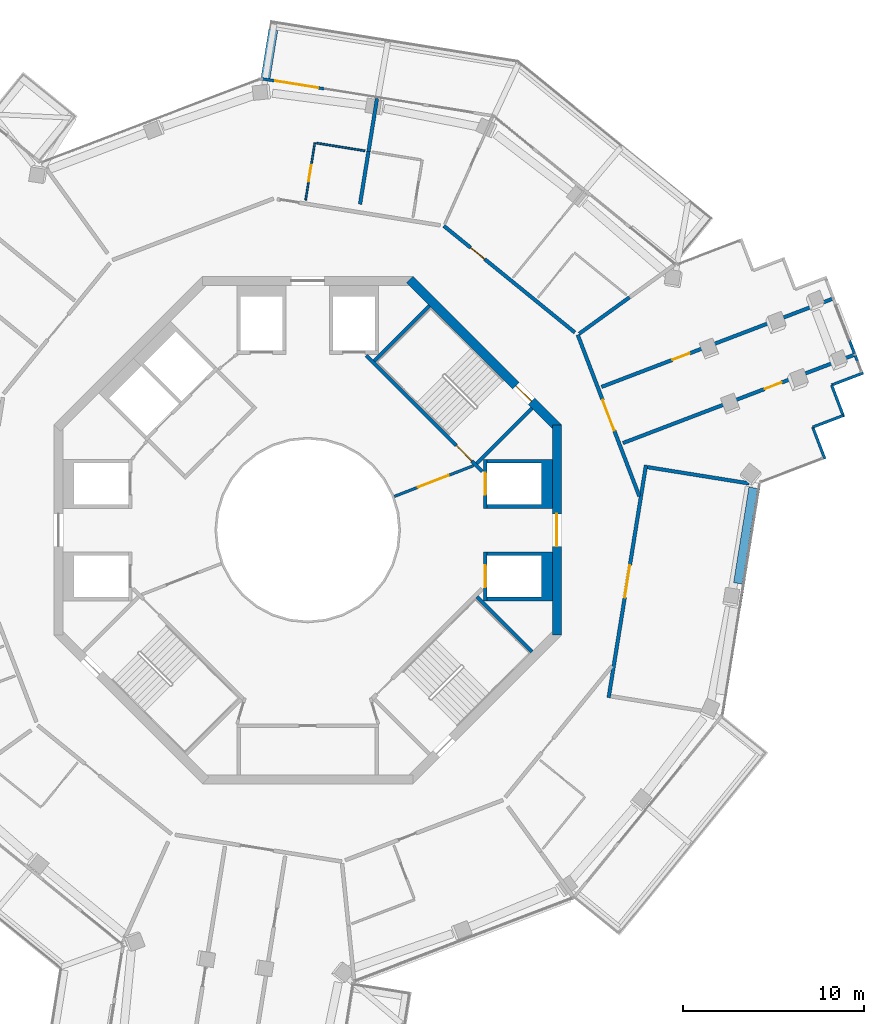
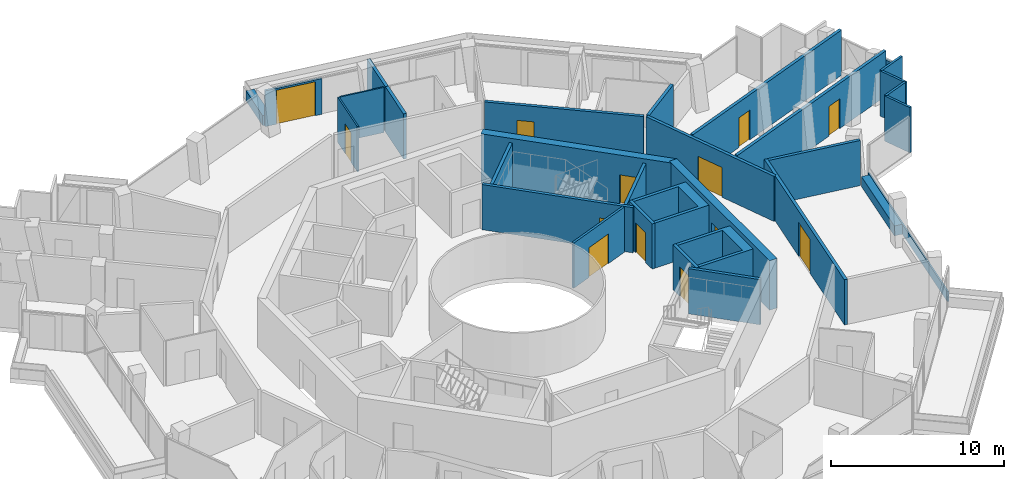
# One storey, part 19 of 23: 32 walls, 13 doors, 13 openings.
"""IFC4 building model written with IfcOpenShell, lengths in metres."""

from ifc_helpers import new_model, si_unit, direction, frame, frame_2d, origin, place, context, subcontext, project, spatial, polyline, rectangle, outline, extrude, material, layer, layer_set, type_object, element, fill, save


model = new_model("IFC4")

# Units and contexts
model_context = context("Model", 3, precision=1e-05, world=origin(), true_north=direction((0.0, 1.0)))
body_context = subcontext(model_context, "Body", "Model", "MODEL_VIEW")
ifc_project = project(units=[si_unit("LENGTHUNIT", "METRE"), si_unit("AREAUNIT", "SQUARE_METRE"), si_unit("VOLUMEUNIT", "CUBIC_METRE"), si_unit("PLANEANGLEUNIT", "RADIAN"), si_unit("MASSUNIT", "GRAM", prefix="KILO")], contexts=[model_context])

# Site, building, storey
site_placement = place(None, origin())
site = spatial("IfcSite", under=ifc_project, at=site_placement, CompositionType="ELEMENT")
building_placement = place(site_placement, origin())
building = spatial("IfcBuilding", under=site, at=building_placement, Name="Verdalira Terraces Hotel", CompositionType="ELEMENT")
storey_placement = place(building_placement, frame((0.0, 0.0, 241.0)))
storey = spatial("IfcBuildingStorey", under=building, at=storey_placement, Name="L59", CompositionType="ELEMENT", Elevation=241.0)

# Wall
ifc_material_1 = material(Name="Concrete C40", Category="concrete")
ifc_layer_1 = layer(ifc_material_1, 0.5)
ifc_layer_set_1 = layer_set([ifc_layer_1], Name="Balcony planter trough with tree")
wall_type_1 = type_object("IfcWallType", Name="Balcony planter trough with tree", PredefinedType="SOLIDWALL", material=ifc_layer_set_1)
wall_1_placement = place(storey_placement, frame((-1.897949, 27.608154, 0.0), z_axis=(0.0, 0.0, 1.0), x_axis=(-0.158572593, -0.987347321, 0.0)))
element("IfcWall", 1, at=wall_1_placement, inside=storey, type_object=wall_type_1, Name="Balcony planter", PredefinedType="SOLIDWALL", context=body_context, shape_type="SweptSolid", body=[
    extrude(rectangle(XDim=2.698975, YDim=0.5, at=frame_2d((1.349609, 0.0))), origin(), (0.0, 0.0, 1.0), 0.699951),
])

# Wall, opening, door
ifc_material_2 = material(Name="Moisture-resistant gypsum board partition")
ifc_layer_2 = layer(ifc_material_2, 0.10009765625)
ifc_layer_set_2 = layer_set([ifc_layer_2], Name="Bathroom partition 100 mm")
wall_type_2 = type_object("IfcWallType", Name="Bathroom partition 100 mm", PredefinedType="PARTITIONING", material=ifc_layer_set_2)
wall_2_placement = place(storey_placement, frame((0.391602, 21.366455, 0.0), z_axis=(0.0, 0.0, 1.0), x_axis=(-0.158457636, -0.987365777, 0.0)))
wall_2 = element("IfcWall", 2, at=wall_2_placement, inside=storey, type_object=wall_type_2, Name="Bathroom partition", PredefinedType="PARTITIONING", context=body_context, shape_type="SweptSolid", body=[
    extrude(rectangle(XDim=3.200195, YDim=0.100098, at=frame_2d((1.600098, 0.0))), origin(), (0.0, 0.0, 1.0), 3.189941),
])
opening_1_placement = place(wall_2_placement, frame((1.25, 0.0, 0.0)))
opening_1 = element("IfcOpeningElement", 3, at=opening_1_placement, cuts=wall_2, Name="Opening L59-128", PredefinedType="OPENING", context=body_context, shape_type="SweptSolid", body=[
    extrude(rectangle(XDim=0.899902, YDim=2.100098, at=frame_2d((0.449951, 1.050049))), frame((0.0, 0.060059, 0.0), z_axis=(0.0, -1.0, 0.0), x_axis=(1.0, 0.0, 0.0)), (0.0, 0.0, 1.0), 0.120117),
])
ifc_material_3 = material(Name="Timber door", Category="wood")
door_type_1 = type_object("IfcDoorType", Name="Bathroom door 900 x 2100", OperationType="NOTDEFINED", PredefinedType="DOOR", material=ifc_material_3)
door_1_placement = place(opening_1_placement, origin())
door_1 = element("IfcDoor", 4, at=door_1_placement, inside=storey, type_object=door_type_1, Name="Bathroom door 5910", OperationType="SINGLE_SWING_LEFT", OverallHeight=2.10009765625, OverallWidth=0.89990234375, PredefinedType="DOOR", context=body_context, shape_type="SweptSolid", body=[
    extrude(rectangle(XDim=0.899902, YDim=2.100098, at=frame_2d((0.449951, 1.050049))), frame((0.0, 0.024902, 0.0), z_axis=(0.0, -1.0, 0.0), x_axis=(1.0, 0.0, 0.0)), (0.0, 0.0, 1.0), 0.050049),
])
fill(opening_1, door_1)

# Walls
wall_3_placement = place(storey_placement, frame((0.490234, 21.350586, 0.0), z_axis=(0.0, 0.0, 1.0), x_axis=(0.987358687, -0.158501811, 0.0)))
element("IfcWall", 5, at=wall_3_placement, inside=storey, type_object=wall_type_2, Name="Bathroom partition", PredefinedType="PARTITIONING", context=body_context, shape_type="SweptSolid", body=[
    extrude(rectangle(XDim=2.700195, YDim=0.100098, at=frame_2d((1.350098, 0.0))), origin(), (0.0, 0.0, 1.0), 3.189941),
])
ifc_material_4 = material(Name="Concrete C50", Category="concrete")
ifc_layer_3 = layer(ifc_material_4, 0.199951171875)
ifc_layer_set_3 = layer_set([ifc_layer_3], Name="Core RC wall 200 C50")
wall_type_3 = type_object("IfcWallType", Name="Core RC wall 200 C50", PredefinedType="SOLIDWALL", material=ifc_layer_set_3)
wall_4_placement = place(storey_placement, origin())
element("IfcWall", 6, at=wall_4_placement, inside=storey, type_object=wall_type_3, Name="L59 shaft wall E1", PredefinedType="SOLIDWALL", context=body_context, shape_type="SweptSolid", body=[
    extrude(outline(polyline([(13.5, -3.899902), (9.899902, -3.899902), (9.899902, -3.699951), (12.899902, -3.699951), (12.899902, -1.399902), (9.899902, -1.399902), (9.899902, -1.199951), (13.5, -1.199951), (13.5, -3.899902)])), origin(), (0.0, 0.0, 1.0), 3.189941),
])

# Wall, opening, door
wall_5_placement = place(storey_placement, frame((9.800049, -1.199951, 0.0), z_axis=(0.0, 0.0, 1.0), x_axis=(0.0, -1.0, 0.0)))
wall_5 = element("IfcWall", 7, at=wall_5_placement, inside=storey, type_object=wall_type_3, Name="L59 shaft front wall E1", PredefinedType="SOLIDWALL", context=body_context, shape_type="SweptSolid", body=[
    extrude(rectangle(XDim=2.699951, YDim=0.199951, at=frame_2d((1.350098, 0.0))), origin(), (0.0, 0.0, 1.0), 3.189941),
])
opening_2_placement = place(wall_5_placement, frame((0.75, 0.0, 0.0)))
opening_2 = element("IfcOpeningElement", 8, at=opening_2_placement, cuts=wall_5, Name="Opening LD-L59-802", PredefinedType="OPENING", context=body_context, shape_type="SweptSolid", body=[
    extrude(rectangle(XDim=1.199951, YDim=2.100098, at=frame_2d((0.600098, 1.050049))), frame((0.0, 0.109863, 0.0), z_axis=(0.0, -1.0, 0.0), x_axis=(1.0, 0.0, 0.0)), (0.0, 0.0, 1.0), 0.219971),
])
ifc_material_5 = material(Name="Stainless steel", Category="steel")
door_type_2 = type_object("IfcDoorType", Name="Landing door 1200 x 2100", OperationType="NOTDEFINED", PredefinedType="DOOR", material=ifc_material_5)
door_2_placement = place(opening_2_placement, origin())
door_2 = element("IfcDoor", 9, at=door_2_placement, inside=storey, type_object=door_type_2, Name="Lift landing door HR1 L59", OperationType="DOUBLE_DOOR_SLIDING", OverallHeight=2.10009765625, OverallWidth=1.199951171875, PredefinedType="DOOR", context=body_context, shape_type="SweptSolid", body=[
    extrude(rectangle(XDim=1.199951, YDim=2.100098, at=frame_2d((0.600098, 1.050049))), frame((0.0, 0.024902, 0.0), z_axis=(0.0, -1.0, 0.0), x_axis=(1.0, 0.0, 0.0)), (0.0, 0.0, 1.0), 0.050049),
])
fill(opening_2, door_2)

# Wall
wall_6_placement = place(storey_placement, origin())
element("IfcWall", 10, at=wall_6_placement, inside=storey, type_object=wall_type_3, Name="L59 shaft wall E2", PredefinedType="SOLIDWALL", context=body_context, shape_type="SweptSolid", body=[
    extrude(outline(polyline([(13.5, 3.899902), (13.5, 1.199951), (9.899902, 1.199951), (9.899902, 1.399902), (12.899902, 1.399902), (12.899902, 3.699951), (9.899902, 3.699951), (9.899902, 3.899902), (13.5, 3.899902)])), origin(), (0.0, 0.0, 1.0), 3.189941),
])

# Wall, opening, door
wall_7_placement = place(storey_placement, frame((9.800049, 1.199951, 0.0), z_axis=(0.0, 0.0, 1.0), x_axis=(0.0, 1.0, 0.0)))
wall_7 = element("IfcWall", 11, at=wall_7_placement, inside=storey, type_object=wall_type_3, Name="L59 shaft front wall E2", PredefinedType="SOLIDWALL", context=body_context, shape_type="SweptSolid", body=[
    extrude(rectangle(XDim=2.699951, YDim=0.199951, at=frame_2d((1.350098, 0.0))), origin(), (0.0, 0.0, 1.0), 3.189941),
])
opening_3_placement = place(wall_7_placement, frame((0.75, 0.0, 0.0)))
opening_3 = element("IfcOpeningElement", 12, at=opening_3_placement, cuts=wall_7, Name="Opening LD-L59-803", PredefinedType="OPENING", context=body_context, shape_type="SweptSolid", body=[
    extrude(rectangle(XDim=1.199951, YDim=2.100098, at=frame_2d((0.600098, 1.050049))), frame((0.0, 0.109863, 0.0), z_axis=(0.0, -1.0, 0.0), x_axis=(1.0, 0.0, 0.0)), (0.0, 0.0, 1.0), 0.219971),
])
door_3_placement = place(opening_3_placement, origin())
door_3 = element("IfcDoor", 13, at=door_3_placement, inside=storey, type_object=door_type_2, Name="Lift landing door HR2 L59", OperationType="DOUBLE_DOOR_SLIDING", OverallHeight=2.10009765625, OverallWidth=1.199951171875, PredefinedType="DOOR", context=body_context, shape_type="SweptSolid", body=[
    extrude(rectangle(XDim=1.199951, YDim=2.100098, at=frame_2d((0.600098, 1.050049))), frame((0.0, 0.024902, 0.0), z_axis=(0.0, -1.0, 0.0), x_axis=(1.0, 0.0, 0.0)), (0.0, 0.0, 1.0), 0.050049),
])
fill(opening_3, door_3)

wall_8_placement = place(storey_placement, frame((3.23999, 9.629395, 0.0), z_axis=(0.0, 0.0, 1.0), x_axis=(0.707106781, -0.707106781, 0.0)))
wall_8 = element("IfcWall", 14, at=wall_8_placement, inside=storey, type_object=wall_type_3, Name="L59 stair ST1 front wall", PredefinedType="SOLIDWALL", context=body_context, shape_type="SweptSolid", body=[
    extrude(rectangle(XDim=9.035889, YDim=0.199951, at=frame_2d((4.518066, 0.0))), origin(), (0.0, 0.0, 1.0), 3.189941),
])
opening_4_placement = place(wall_8_placement, frame((7.017822, 0.0, 0.0)))
opening_4 = element("IfcOpeningElement", 15, at=opening_4_placement, cuts=wall_8, Name="Opening L59-810", PredefinedType="OPENING", context=body_context, shape_type="SweptSolid", body=[
    extrude(rectangle(XDim=1.199951, YDim=2.100098, at=frame_2d((0.600098, 1.050049))), frame((0.0, 0.109863, 0.0), z_axis=(0.0, -1.0, 0.0), x_axis=(1.0, 0.0, 0.0)), (0.0, 0.0, 1.0), 0.219971),
])
ifc_material_6 = material(Name="Steel fire door", Category="steel")
door_type_3 = type_object("IfcDoorType", Name="Stair door 1200 x 2100", OperationType="NOTDEFINED", PredefinedType="DOOR", material=ifc_material_6)
door_4_placement = place(opening_4_placement, origin())
door_4 = element("IfcDoor", 16, at=door_4_placement, inside=storey, type_object=door_type_3, Name="Stair door ST1 L59", OperationType="SINGLE_SWING_RIGHT", OverallHeight=2.10009765625, OverallWidth=1.199951171875, PredefinedType="DOOR", context=body_context, shape_type="SweptSolid", body=[
    extrude(rectangle(XDim=1.199951, YDim=2.100098, at=frame_2d((0.600098, 1.050049))), frame((0.0, 0.024902, 0.0), z_axis=(0.0, -1.0, 0.0), x_axis=(1.0, 0.0, 0.0)), (0.0, 0.0, 1.0), 0.050049),
])
fill(opening_4, door_4)

# Walls
for number, where, z_axis, x_axis, name in (
    (17, (9.33374, 3.677002, 0.0), (0.0, 0.0, 1.0), (0.707135168, 0.707078393, 0.0), "L59 stair ST1 end wall 1"),
    (18, (3.677002, 9.33374, 0.0), (0.0, 0.0, 1.0), (0.707078393, 0.707135168, 0.0), "L59 stair ST1 end wall 2"),
    (19, (9.33374, -3.677002, 0.0), (0.0, 0.0, 1.0), (0.707135168, -0.707078393, 0.0), "L59 stair ST3 end wall 2"),
):
    element("IfcWall", number, at=place(storey_placement, frame(where, z_axis=z_axis, x_axis=x_axis)), inside=storey, type_object=wall_type_3, Name=name, PredefinedType="SOLIDWALL", context=body_context, shape_type="SweptSolid", body=[
        extrude(rectangle(XDim=4.300049, YDim=0.199951, at=frame_2d((2.149902, 0.0))), origin(), (0.0, 0.0, 1.0), 3.189941),
    ])

# Wall, opening, door
ifc_material_7 = material(Name="Gypsum board partition")
ifc_layer_4 = layer(ifc_material_7, 0.14990234375)
ifc_layer_set_4 = layer_set([ifc_layer_4], Name="Core partition 150 mm")
wall_type_4 = type_object("IfcWallType", Name="Core partition 150 mm", PredefinedType="PARTITIONING", material=ifc_layer_set_4)
wall_9_placement = place(storey_placement, frame((4.781982, 1.857178, 0.0), z_axis=(0.0, 0.0, 1.0), x_axis=(0.932155279, 0.362058746, 0.0)))
wall_9 = element("IfcWall", 20, at=wall_9_placement, inside=storey, type_object=wall_type_4, Name="Gallery fire partition L59", PredefinedType="PARTITIONING", context=body_context, shape_type="SweptSolid", body=[
    extrude(rectangle(XDim=4.682373, YDim=0.149902, at=frame_2d((2.341309, 0.0))), origin(), (0.0, 0.0, 1.0), 3.189941),
])
opening_5_placement = place(wall_9_placement, frame((1.399902, 0.0, 0.0)))
opening_5 = element("IfcOpeningElement", 21, at=opening_5_placement, cuts=wall_9, Name="Opening L59-824", PredefinedType="OPENING", context=body_context, shape_type="SweptSolid", body=[
    extrude(rectangle(XDim=1.800049, YDim=2.100098, at=frame_2d((0.899902, 1.050049))), frame((0.0, 0.084961, 0.0), z_axis=(0.0, -1.0, 0.0), x_axis=(1.0, 0.0, 0.0)), (0.0, 0.0, 1.0), 0.169922),
])
ifc_material_8 = material(Name="Steel fire door", Category="steel")
door_type_4 = type_object("IfcDoorType", Name="Gallery fire door pair 1800 x 2100", OperationType="NOTDEFINED", PredefinedType="DOOR", material=ifc_material_8)
door_5_placement = place(opening_5_placement, origin())
door_5 = element("IfcDoor", 22, at=door_5_placement, inside=storey, type_object=door_type_4, Name="Door L59 split0", OperationType="DOUBLE_DOOR_SINGLE_SWING", OverallHeight=2.10009765625, OverallWidth=1.800048828125, PredefinedType="DOOR", context=body_context, shape_type="SweptSolid", body=[
    extrude(rectangle(XDim=1.800049, YDim=2.100098, at=frame_2d((0.899902, 1.050049))), frame((0.0, 0.024902, 0.0), z_axis=(0.0, -1.0, 0.0), x_axis=(1.0, 0.0, 0.0)), (0.0, 0.0, 1.0), 0.050049),
])
fill(opening_5, door_5)

ifc_material_9 = material(Name="Concrete C50", Category="concrete")
ifc_layer_5 = layer(ifc_material_9, 0.5)
ifc_layer_set_5 = layer_set([ifc_layer_5], Name="Core wall 500 C50")
wall_type_5 = type_object("IfcWallType", Name="Core wall 500 C50", PredefinedType="SHEAR", material=ifc_layer_set_5)
wall_10_placement = place(storey_placement, frame((13.75, -5.799072, 0.0), z_axis=(0.0, 0.0, 1.0), x_axis=(0.0, 1.0, 0.0)))
wall_10 = element("IfcWall", 23, at=wall_10_placement, inside=storey, type_object=wall_type_5, Name="Core wall CW-L59-1", PredefinedType="SHEAR", context=body_context, shape_type="SweptSolid", body=[
    extrude(rectangle(XDim=11.598145, YDim=0.5, at=frame_2d((5.799072, 0.0))), origin(), (0.0, 0.0, 1.0), 3.5),
])
opening_6_placement = place(wall_10_placement, frame((4.898926, 0.0, 0.0)))
opening_6 = element("IfcOpeningElement", 24, at=opening_6_placement, cuts=wall_10, Name="Opening L59-813", PredefinedType="OPENING", context=body_context, shape_type="SweptSolid", body=[
    extrude(rectangle(XDim=1.800049, YDim=2.100098, at=frame_2d((0.899902, 1.050049))), frame((0.0, 0.26001, 0.0), z_axis=(0.0, -1.0, 0.0), x_axis=(1.0, 0.0, 0.0)), (0.0, 0.0, 1.0), 0.52002),
])
ifc_material_10 = material(Name="Steel fire door", Category="steel")
door_type_5 = type_object("IfcDoorType", Name="Core entry door pair 1800 x 2100", OperationType="NOTDEFINED", PredefinedType="DOOR", material=ifc_material_10)
door_6_placement = place(opening_6_placement, origin())
door_6 = element("IfcDoor", 25, at=door_6_placement, inside=storey, type_object=door_type_5, Name="Core entry door L59 0", OperationType="DOUBLE_DOOR_SINGLE_SWING", OverallHeight=2.10009765625, OverallWidth=1.800048828125, PredefinedType="DOOR", context=body_context, shape_type="SweptSolid", body=[
    extrude(rectangle(XDim=1.800049, YDim=2.100098, at=frame_2d((0.899902, 1.050049))), frame((0.0, 0.024902, 0.0), z_axis=(0.0, -1.0, 0.0), x_axis=(1.0, 0.0, 0.0)), (0.0, 0.0, 1.0), 0.050049),
])
fill(opening_6, door_6)

wall_11_placement = place(storey_placement, frame((13.823242, 5.622314, 0.0), z_axis=(0.0, 0.0, 1.0), x_axis=(-0.707106781, 0.707106781, 0.0)))
wall_11 = element("IfcWall", 26, at=wall_11_placement, inside=storey, type_object=wall_type_5, Name="Core wall CW-L59-2", PredefinedType="SHEAR", context=body_context, shape_type="SweptSolid", body=[
    extrude(rectangle(XDim=11.5979, YDim=0.5, at=frame_2d((5.798828, 0.0))), origin(), (0.0, 0.0, 1.0), 3.5),
])
opening_7_placement = place(wall_11_placement, frame((2.099121, 0.0, 0.0)))
opening_7 = element("IfcOpeningElement", 27, at=opening_7_placement, cuts=wall_11, Name="Opening L59-816", PredefinedType="OPENING", context=body_context, shape_type="SweptSolid", body=[
    extrude(rectangle(XDim=1.199951, YDim=2.100098, at=frame_2d((0.600098, 1.050049))), frame((0.0, 0.26001, 0.0), z_axis=(0.0, -1.0, 0.0), x_axis=(1.0, 0.0, 0.0)), (0.0, 0.0, 1.0), 0.52002),
])
door_7_placement = place(opening_7_placement, origin())
door_7 = element("IfcDoor", 28, at=door_7_placement, inside=storey, type_object=door_type_3, Name="Stair exit door ST1 L59", OperationType="SINGLE_SWING_LEFT", OverallHeight=2.10009765625, OverallWidth=1.199951171875, PredefinedType="DOOR", context=body_context, shape_type="SweptSolid", body=[
    extrude(rectangle(XDim=1.199951, YDim=2.100098, at=frame_2d((0.600098, 1.050049))), frame((0.0, 0.024902, 0.0), z_axis=(0.0, -1.0, 0.0), x_axis=(1.0, 0.0, 0.0)), (0.0, 0.0, 1.0), 0.050049),
])
fill(opening_7, door_7)

# Walls
ifc_material_11 = material(Name="Fire-rated gypsum board wall")
ifc_layer_6 = layer(ifc_material_11, 0.199951171875)
ifc_layer_set_6 = layer_set([ifc_layer_6], Name="Demising wall 200 mm")
wall_type_6 = type_object("IfcWallType", Name="Demising wall 200 mm", PredefinedType="SOLIDWALL", material=ifc_layer_set_6)
wall_12_placement = place(storey_placement, frame((2.885498, 17.975342, 0.0), z_axis=(0.0, 0.0, 1.0), x_axis=(0.158577349, 0.987346557, 0.0)))
element("IfcWall", 29, at=wall_12_placement, inside=storey, type_object=wall_type_6, Name="Demising wall", PredefinedType="SOLIDWALL", context=body_context, shape_type="SweptSolid", body=[
    extrude(rectangle(XDim=2.952881, YDim=0.199951, at=frame_2d((1.476562, 0.0))), origin(), (0.0, 0.0, 1.0), 3.189941),
])
wall_13_placement = place(storey_placement, frame((3.35376, 20.890869, 0.0), z_axis=(0.0, 0.0, 1.0), x_axis=(0.158477852, 0.987362532, 0.0)))
element("IfcWall", 30, at=wall_13_placement, inside=storey, type_object=wall_type_6, Name="Demising wall", PredefinedType="SOLIDWALL", context=body_context, shape_type="SweptSolid", body=[
    extrude(rectangle(XDim=2.950195, YDim=0.199951, at=frame_2d((1.475098, 0.0))), origin(), (0.0, 0.0, 1.0), 3.189941),
])
wall_14_placement = place(storey_placement, frame((14.97998, 10.835693, 0.0), z_axis=(0.0, 0.0, 1.0), x_axis=(0.810225132, 0.586118789, 0.0)))
element("IfcWall", 31, at=wall_14_placement, inside=storey, type_object=wall_type_6, Name="Demising wall", PredefinedType="SOLIDWALL", context=body_context, shape_type="SweptSolid", body=[
    extrude(rectangle(XDim=3.418457, YDim=0.199951, at=frame_2d((1.709229, 0.0))), origin(), (0.0, 0.0, 1.0), 3.189941),
])

# Wall, opening, door
wall_15_placement = place(storey_placement, frame((16.208008, 7.897217, 0.0), z_axis=(0.0, 0.0, 1.0), x_axis=(0.934327798, 0.35641488, 0.0)))
wall_15 = element("IfcWall", 32, at=wall_15_placement, inside=storey, type_object=wall_type_6, Name="Demising wall", PredefinedType="SOLIDWALL", context=body_context, shape_type="SweptSolid", body=[
    extrude(rectangle(XDim=13.622314, YDim=0.199951, at=frame_2d((6.811035, 0.0))), origin(), (0.0, 0.0, 1.0), 3.189941),
])
opening_8_placement = place(wall_15_placement, frame((4.199951, 0.0, 0.0)))
opening_8 = element("IfcOpeningElement", 33, at=opening_8_placement, cuts=wall_15, Name="Opening L59-121", PredefinedType="OPENING", context=body_context, shape_type="SweptSolid", body=[
    extrude(rectangle(XDim=1.0, YDim=2.100098, at=frame_2d((0.5, 1.050049))), frame((0.0, 0.109863, 0.0), z_axis=(0.0, -1.0, 0.0), x_axis=(1.0, 0.0, 0.0)), (0.0, 0.0, 1.0), 0.219971),
])
ifc_material_12 = material(Name="Timber fire door", Category="wood")
door_type_6 = type_object("IfcDoorType", Name="Public room door 1000 x 2100", OperationType="NOTDEFINED", PredefinedType="DOOR", material=ifc_material_12)
door_8_placement = place(opening_8_placement, origin())
door_8 = element("IfcDoor", 34, at=door_8_placement, inside=storey, type_object=door_type_6, Name="Public room door 5908", OperationType="SINGLE_SWING_LEFT", OverallHeight=2.10009765625, OverallWidth=1.0, PredefinedType="DOOR", context=body_context, shape_type="SweptSolid", body=[
    extrude(rectangle(XDim=1.0, YDim=2.100098, at=frame_2d((0.5, 1.050049))), frame((0.0, 0.024902, 0.0), z_axis=(0.0, -1.0, 0.0), x_axis=(1.0, 0.0, 0.0)), (0.0, 0.0, 1.0), 0.050049),
])
fill(opening_8, door_8)

wall_16_placement = place(storey_placement, frame((30.117188, 9.655518, 0.0), z_axis=(0.0, 0.0, 1.0), x_axis=(-0.934327798, -0.35641488, 0.0)))
wall_16 = element("IfcWall", 35, at=wall_16_placement, inside=storey, type_object=wall_type_6, Name="Demising wall", PredefinedType="SOLIDWALL", context=body_context, shape_type="SweptSolid", body=[
    extrude(rectangle(XDim=13.622314, YDim=0.199951, at=frame_2d((6.811035, 0.0))), origin(), (0.0, 0.0, 1.0), 3.189941),
])
opening_9_placement = place(wall_16_placement, frame((4.25, 0.0, 0.0)))
opening_9 = element("IfcOpeningElement", 36, at=opening_9_placement, cuts=wall_16, Name="Opening L59-120", PredefinedType="OPENING", context=body_context, shape_type="SweptSolid", body=[
    extrude(rectangle(XDim=1.0, YDim=2.100098, at=frame_2d((0.5, 1.050049))), frame((0.0, 0.109863, 0.0), z_axis=(0.0, -1.0, 0.0), x_axis=(1.0, 0.0, 0.0)), (0.0, 0.0, 1.0), 0.219971),
])
door_9_placement = place(opening_9_placement, origin())
door_9 = element("IfcDoor", 37, at=door_9_placement, inside=storey, type_object=door_type_6, Name="Public room door 5908", OperationType="SINGLE_SWING_LEFT", OverallHeight=2.10009765625, OverallWidth=1.0, PredefinedType="DOOR", context=body_context, shape_type="SweptSolid", body=[
    extrude(rectangle(XDim=1.0, YDim=2.100098, at=frame_2d((0.5, 1.050049))), frame((0.0, 0.024902, 0.0), z_axis=(0.0, -1.0, 0.0), x_axis=(1.0, 0.0, 0.0)), (0.0, 0.0, 1.0), 0.050049),
])
fill(opening_9, door_9)

ifc_material_13 = material(Name="Fire-rated gypsum board wall")
ifc_layer_7 = layer(ifc_material_13, 0.199951171875)
ifc_layer_set_7 = layer_set([ifc_layer_7], Name="Guest corridor wall 200 mm")
wall_type_7 = type_object("IfcWallType", Name="Guest corridor wall 200 mm", PredefinedType="SOLIDWALL", material=ifc_layer_set_7)
wall_17_placement = place(storey_placement, frame((7.512939, 16.779541, 0.0), z_axis=(0.0, 0.0, 1.0), x_axis=(0.775830166, -0.630941799, 0.0)))
wall_17 = element("IfcWall", 38, at=wall_17_placement, inside=storey, type_object=wall_type_7, Name="Guest corridor wall", PredefinedType="SOLIDWALL", context=body_context, shape_type="SweptSolid", body=[
    extrude(rectangle(XDim=9.316406, YDim=0.199951, at=frame_2d((4.658203, 0.0))), origin(), (0.0, 0.0, 1.0), 3.189941),
])
opening_10_placement = place(wall_17_placement, frame((1.899902, 0.0, 0.0)))
opening_10 = element("IfcOpeningElement", 39, at=opening_10_placement, cuts=wall_17, Name="Opening L59-122", PredefinedType="OPENING", context=body_context, shape_type="SweptSolid", body=[
    extrude(rectangle(XDim=1.0, YDim=2.100098, at=frame_2d((0.5, 1.050049))), frame((0.0, 0.109863, 0.0), z_axis=(0.0, -1.0, 0.0), x_axis=(1.0, 0.0, 0.0)), (0.0, 0.0, 1.0), 0.219971),
])
ifc_material_14 = material(Name="Timber fire door", Category="wood")
door_type_7 = type_object("IfcDoorType", Name="Guest entry door 1000 x 2100", OperationType="NOTDEFINED", PredefinedType="DOOR", material=ifc_material_14)
door_10_placement = place(opening_10_placement, origin())
door_10 = element("IfcDoor", 40, at=door_10_placement, inside=storey, type_object=door_type_7, Name="Guest entry door 5909", OperationType="SINGLE_SWING_LEFT", OverallHeight=2.10009765625, OverallWidth=1.0, PredefinedType="DOOR", context=body_context, shape_type="SweptSolid", body=[
    extrude(rectangle(XDim=1.0, YDim=2.100098, at=frame_2d((0.5, 1.050049))), frame((0.0, 0.024902, 0.0), z_axis=(0.0, -1.0, 0.0), x_axis=(1.0, 0.0, 0.0)), (0.0, 0.0, 1.0), 0.050049),
])
fill(opening_10, door_10)

wall_18_placement = place(storey_placement, frame((14.89624, 10.775146, 0.0), z_axis=(0.0, 0.0, 1.0), x_axis=(0.356406215, -0.934331103, 0.0)))
wall_18 = element("IfcWall", 41, at=wall_18_placement, inside=storey, type_object=wall_type_7, Name="Guest corridor wall", PredefinedType="SOLIDWALL", context=body_context, shape_type="SweptSolid", body=[
    extrude(rectangle(XDim=9.536621, YDim=0.199951, at=frame_2d((4.768311, 0.0))), origin(), (0.0, 0.0, 1.0), 3.189941),
])
opening_11_placement = place(wall_18_placement, frame((3.856445, 0.0, 0.0)))
opening_11 = element("IfcOpeningElement", 42, at=opening_11_placement, cuts=wall_18, Name="Opening L59-119", PredefinedType="OPENING", context=body_context, shape_type="SweptSolid", body=[
    extrude(rectangle(XDim=1.800049, YDim=2.100098, at=frame_2d((0.899902, 1.050049))), frame((0.0, 0.109863, 0.0), z_axis=(0.0, -1.0, 0.0), x_axis=(1.0, 0.0, 0.0)), (0.0, 0.0, 1.0), 0.219971),
])
ifc_material_15 = material(Name="Timber fire door", Category="wood")
door_type_8 = type_object("IfcDoorType", Name="Public room double door 1800 x 2100", OperationType="NOTDEFINED", PredefinedType="DOOR", material=ifc_material_15)
door_11_placement = place(opening_11_placement, origin())
door_11 = element("IfcDoor", 43, at=door_11_placement, inside=storey, type_object=door_type_8, Name="Public room double door 5908", OperationType="DOUBLE_DOOR_SINGLE_SWING", OverallHeight=2.10009765625, OverallWidth=1.800048828125, PredefinedType="DOOR", context=body_context, shape_type="SweptSolid", body=[
    extrude(rectangle(XDim=1.800049, YDim=2.100098, at=frame_2d((0.899902, 1.050049))), frame((0.0, 0.024902, 0.0), z_axis=(0.0, -1.0, 0.0), x_axis=(1.0, 0.0, 0.0)), (0.0, 0.0, 1.0), 0.050049),
])
fill(opening_11, door_11)

ifc_material_16 = material(Name="Terracotta cladding", Category="masonry")
ifc_layer_8 = layer(ifc_material_16, 0.199951171875)
ifc_layer_set_8 = layer_set([ifc_layer_8], Name="Loggia back wall 200")
wall_type_8 = type_object("IfcWallType", Name="Loggia back wall 200", PredefinedType="SOLIDWALL", material=ifc_layer_set_8)
wall_19_placement = place(storey_placement, frame((18.662842, 3.587158, 0.0), z_axis=(0.0, 0.0, 1.0), x_axis=(-0.158503194, -0.987358464, 0.0)))
wall_19 = element("IfcWall", 44, at=wall_19_placement, inside=storey, type_object=wall_type_8, Name="Loggia back wall", PredefinedType="SOLIDWALL", context=body_context, shape_type="SweptSolid", body=[
    extrude(rectangle(XDim=13.0, YDim=0.199951, at=frame_2d((6.5, 0.0))), origin(), (0.0, 0.0, 1.0), 3.189941),
])
opening_12_placement = place(wall_19_placement, frame((5.600098, 0.0, 0.0)))
opening_12 = element("IfcOpeningElement", 45, at=opening_12_placement, cuts=wall_19, Name="Opening L59-L01", PredefinedType="OPENING", context=body_context, shape_type="SweptSolid", body=[
    extrude(rectangle(XDim=1.800049, YDim=2.399902, at=frame_2d((0.899902, 1.199951))), frame((0.0, 0.109863, 0.0), z_axis=(0.0, -1.0, 0.0), x_axis=(1.0, 0.0, 0.0)), (0.0, 0.0, 1.0), 0.219971),
])
ifc_material_17 = material(Name="Clear glass", Category="glass")
door_type_9 = type_object("IfcDoorType", Name="Garden double door 1800x2400", OperationType="NOTDEFINED", PredefinedType="DOOR", material=ifc_material_17)
door_12_placement = place(opening_12_placement, origin())
door_12 = element("IfcDoor", 46, at=door_12_placement, inside=storey, type_object=door_type_9, Name="Loggia double door", OperationType="DOUBLE_DOOR_SINGLE_SWING", OverallHeight=2.39990234375, OverallWidth=1.800048828125, PredefinedType="DOOR", context=body_context, shape_type="SweptSolid", body=[
    extrude(rectangle(XDim=1.800049, YDim=2.399902, at=frame_2d((0.899902, 1.199951))), frame((0.0, 0.024902, 0.0), z_axis=(0.0, -1.0, 0.0), x_axis=(1.0, 0.0, 0.0)), (0.0, 0.0, 1.0), 0.050049),
])
fill(opening_12, door_12)

# Walls
wall_20_placement = place(storey_placement, frame((24.347168, 2.573486, 0.0), z_axis=(0.0, 0.0, 1.0), x_axis=(-0.98735913, 0.158499049, 0.0)))
element("IfcWall", 47, at=wall_20_placement, inside=storey, type_object=wall_type_8, Name="Loggia side wall", PredefinedType="SOLIDWALL", context=body_context, shape_type="SweptSolid", body=[
    extrude(rectangle(XDim=5.673096, YDim=0.199951, at=frame_2d((2.836426, 0.0))), origin(), (0.0, 0.0, 1.0), 3.189941),
])
ifc_material_18 = material(Name="Concrete C40", Category="concrete")
ifc_layer_9 = layer(ifc_material_18, 0.5)
ifc_layer_set_9 = layer_set([ifc_layer_9], Name="Loggia planter trough with tree")
wall_type_9 = type_object("IfcWallType", Name="Loggia planter trough with tree", PredefinedType="SOLIDWALL", material=ifc_layer_set_9)
wall_21_placement = place(storey_placement, frame((23.742676, -2.939209, 0.0), z_axis=(0.0, 0.0, 1.0), x_axis=(0.158500574, 0.987358885, 0.0)))
element("IfcWall", 48, at=wall_21_placement, inside=storey, type_object=wall_type_9, Name="Loggia planter", PredefinedType="SOLIDWALL", context=body_context, shape_type="SweptSolid", body=[
    extrude(rectangle(XDim=5.338623, YDim=0.5, at=frame_2d((2.669434, 0.0))), origin(), (0.0, 0.0, 1.0), 0.699951),
])
ifc_material_19 = material(Name="Concrete C40", Category="concrete")
ifc_layer_10 = layer(ifc_material_19, 0.10009765625)
ifc_layer_set_10 = layer_set([ifc_layer_10], Name="Loggia upstand 100")
wall_type_10 = type_object("IfcWallType", Name="Loggia upstand 100", PredefinedType="SOLIDWALL", material=ifc_layer_set_10)
wall_22_placement = place(storey_placement, frame((22.884766, -10.176025, 0.0), z_axis=(0.0, 0.0, 1.0), x_axis=(0.158500684, 0.987358867, 0.0)))
element("IfcWall", 49, at=wall_22_placement, inside=storey, type_object=wall_type_10, Name="Loggia upstand", PredefinedType="SOLIDWALL", context=body_context, shape_type="SweptSolid", body=[
    extrude(rectangle(XDim=12.840088, YDim=0.100098, at=frame_2d((6.419922, 0.0))), origin(), (0.0, 0.0, 1.0), 0.699951),
])
ifc_material_20 = material(Name="Terracotta cladding", Category="masonry")
ifc_layer_11 = layer(ifc_material_20, 0.14990234375)
ifc_layer_set_11 = layer_set([ifc_layer_11], Name="Terracotta clad wall 150")
wall_type_11 = type_object("IfcWallType", Name="Terracotta clad wall 150", PredefinedType="SOLIDWALL", material=ifc_layer_set_11)
wall_23_placement = place(storey_placement, frame((28.530029, 3.92627, 0.0), z_axis=(0.0, 0.0, 1.0), x_axis=(-0.356368895, 0.934345338, 0.0)))
element("IfcWall", 50, at=wall_23_placement, inside=storey, type_object=wall_type_11, Name="Terracotta cladding wall", PredefinedType="SOLIDWALL", context=body_context, shape_type="SweptSolid", body=[
    extrude(rectangle(XDim=1.875, YDim=0.149902, at=frame_2d((0.9375, 0.0))), origin(), (0.0, 0.0, 1.0), 3.189941),
])
wall_24_placement = place(storey_placement, frame((27.861816, 5.678223, 0.0), z_axis=(0.0, 0.0, 1.0), x_axis=(0.934352287, 0.356350676, 0.0)))
element("IfcWall", 51, at=wall_24_placement, inside=storey, type_object=wall_type_11, Name="Terracotta cladding wall", PredefinedType="SOLIDWALL", context=body_context, shape_type="SweptSolid", body=[
    extrude(rectangle(XDim=1.799805, YDim=0.149902, at=frame_2d((0.899902, 0.0))), origin(), (0.0, 0.0, 1.0), 3.189941),
])
wall_25_placement = place(storey_placement, frame((29.570312, 6.249512, 0.0), z_axis=(0.0, 0.0, 1.0), x_axis=(-0.356368895, 0.934345338, 0.0)))
element("IfcWall", 52, at=wall_25_placement, inside=storey, type_object=wall_type_11, Name="Terracotta cladding wall", PredefinedType="SOLIDWALL", context=body_context, shape_type="SweptSolid", body=[
    extrude(rectangle(XDim=1.875, YDim=0.149902, at=frame_2d((0.9375, 0.0))), origin(), (0.0, 0.0, 1.0), 3.189941),
])
wall_26_placement = place(storey_placement, frame((28.9021, 8.001465, 0.0), z_axis=(0.0, 0.0, 1.0), x_axis=(0.934328799, 0.356412254, 0.0)))
element("IfcWall", 53, at=wall_26_placement, inside=storey, type_object=wall_type_11, Name="Terracotta cladding wall", PredefinedType="SOLIDWALL", context=body_context, shape_type="SweptSolid", body=[
    extrude(rectangle(XDim=1.874756, YDim=0.149902, at=frame_2d((0.9375, 0.0))), origin(), (0.0, 0.0, 1.0), 3.189941),
])
ifc_material_21 = material(Name="Terracotta cladding", Category="masonry")
ifc_layer_12 = layer(ifc_material_21, 0.14990234375)
ifc_layer_set_12 = layer_set([ifc_layer_12], Name="Terracotta column pier 150")
wall_type_12 = type_object("IfcWallType", Name="Terracotta column pier 150", PredefinedType="SOLIDWALL", material=ifc_layer_set_12)
wall_27_placement = place(storey_placement, frame((30.34668, 9.264404, 0.0), z_axis=(0.0, 0.0, 1.0), x_axis=(-0.356244711, 0.934392694, 0.0)))
element("IfcWall", 54, at=wall_27_placement, inside=storey, type_object=wall_type_12, Name="Terracotta column pier", PredefinedType="SOLIDWALL", context=body_context, shape_type="SweptSolid", body=[
    extrude(rectangle(XDim=0.406982, YDim=0.149902, at=frame_2d((0.203613, 0.0))), origin(), (0.0, 0.0, 1.0), 2.524902),
])
wall_28_placement = place(storey_placement, frame((30.173096, 9.719482, 0.0), z_axis=(0.0, 0.0, 1.0), x_axis=(-0.356446014, 0.93431592, 0.0)))
element("IfcWall", 55, at=wall_28_placement, inside=storey, type_object=wall_type_12, Name="Terracotta column pier", PredefinedType="SOLIDWALL", context=body_context, shape_type="SweptSolid", body=[
    extrude(rectangle(XDim=0.78833, YDim=0.149902, at=frame_2d((0.394043, 0.0))), origin(), (0.0, 0.0, 1.0), 2.524902),
])

# Wall, opening, door
ifc_material_22 = material(Name="Terracotta cladding", Category="masonry")
ifc_layer_13 = layer(ifc_material_22, 0.14990234375)
ifc_layer_set_13 = layer_set([ifc_layer_13], Name="Terracotta door pier 150")
wall_type_13 = type_object("IfcWallType", Name="Terracotta door pier 150", PredefinedType="SOLIDWALL", material=ifc_layer_set_13)
wall_29_placement = place(storey_placement, frame((0.973877, 24.33667, 0.0), z_axis=(0.0, 0.0, 1.0), x_axis=(-0.987357451, 0.158509505, 0.0)))
wall_29 = element("IfcWall", 56, at=wall_29_placement, inside=storey, type_object=wall_type_13, Name="Terracotta door pier", PredefinedType="SOLIDWALL", context=body_context, shape_type="SweptSolid", body=[
    extrude(rectangle(XDim=3.503906, YDim=0.149902, at=frame_2d((1.751953, 0.0))), origin(), (0.0, 0.0, 1.0), 2.524902),
])
opening_13_placement = place(wall_29_placement, frame((0.399902, 0.0, 0.0)))
opening_13 = element("IfcOpeningElement", 57, at=opening_13_placement, cuts=wall_29, Name="Opening L59-B15", PredefinedType="OPENING", context=body_context, shape_type="SweptSolid", body=[
    extrude(rectangle(XDim=2.399902, YDim=2.399902, at=frame_2d((1.199951, 1.199951))), frame((0.0, 0.084961, 0.0), z_axis=(0.0, -1.0, 0.0), x_axis=(1.0, 0.0, 0.0)), (0.0, 0.0, 1.0), 0.169922),
])
ifc_material_23 = material(Name="Clear glass", Category="glass")
door_type_10 = type_object("IfcDoorType", Name="Balcony sliding door 2400x2400", OperationType="NOTDEFINED", PredefinedType="DOOR", material=ifc_material_23)
door_13_placement = place(opening_13_placement, origin())
door_13 = element("IfcDoor", 58, at=door_13_placement, inside=storey, type_object=door_type_10, Name="Balcony sliding door", OperationType="SLIDING_TO_RIGHT", OverallHeight=2.39990234375, OverallWidth=2.39990234375, PredefinedType="DOOR", context=body_context, shape_type="SweptSolid", body=[
    extrude(rectangle(XDim=2.399902, YDim=2.399902, at=frame_2d((1.199951, 1.199951))), frame((0.0, 0.024902, 0.0), z_axis=(0.0, -1.0, 0.0), x_axis=(1.0, 0.0, 0.0)), (0.0, 0.0, 1.0), 0.050049),
])
fill(opening_13, door_13)

save(model, "model.ifc")
